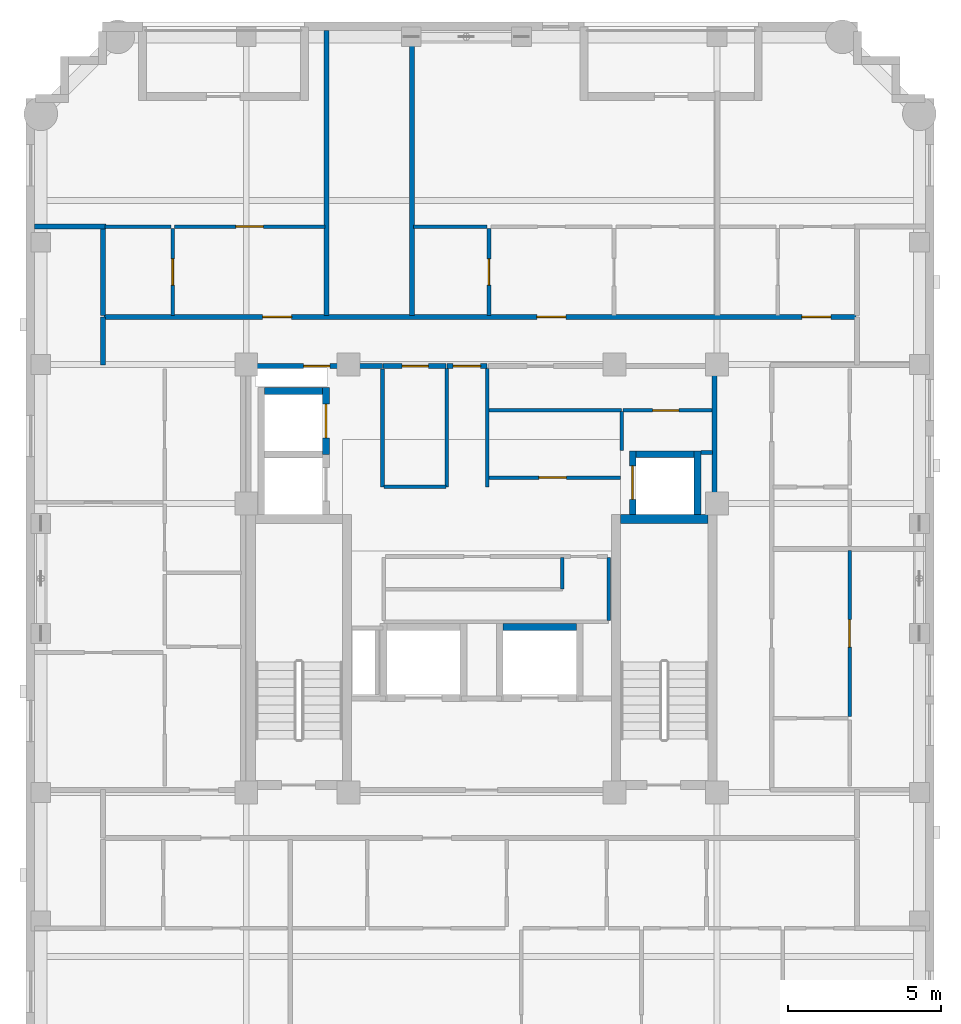
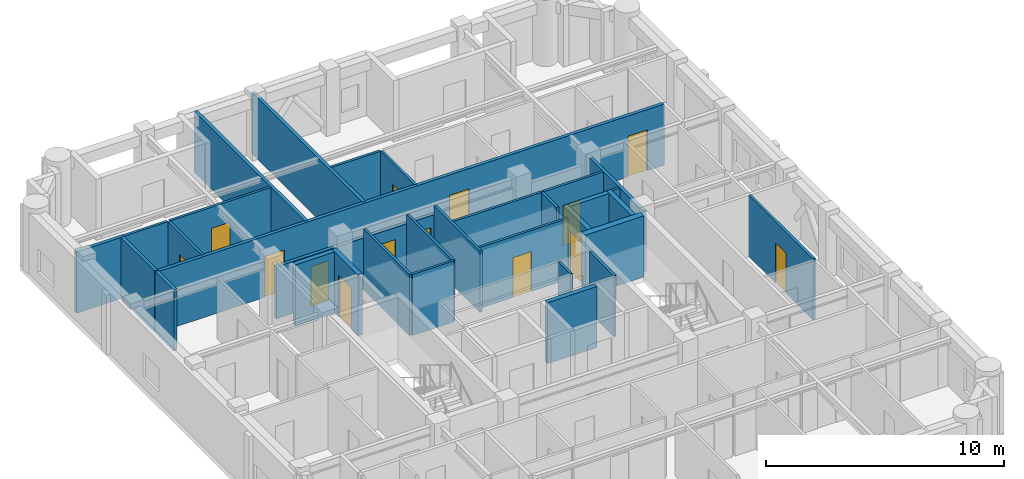
# One storey, part 5 of 10: 34 walls, 14 doors, 14 openings.
"""IFC4 building model written with IfcOpenShell, lengths in metres."""

import ifcopenshell
import ifcopenshell.guid

model = None  # the IFC model being written
_history = None  # IfcOwnerHistory: only IFC2X3 demands one
_inside = {}  # id of a spatial element -> (the spatial element, [elements in it])
_under = {}  # id of a project, library or spatial element -> (it, [spatial elements below it])
_declared = {}  # id of a project -> (the project, [libraries it declares])
_typed = {}  # id of a type object -> (the type object, [elements of that type])
_made_of = {}  # id of a material, layer set ... -> (it, [elements and type objects made of it])


def new_model(schema):
    """Start an empty IFC model of exactly this schema.

    Asked for "IFC4X3", IfcOpenShell would pick the latest addendum, in which some entities
    have other attributes; the version numbers below select the first issue.
    IFC2X3 requires an IfcOwnerHistory on every rooted entity: one is made here for all.
    """
    global model, _history
    if schema == "IFC4X3":
        model = ifcopenshell.file(schema_version=(4, 3, 0, 0))
    else:
        model = ifcopenshell.file(schema=schema)
    _inside.clear()
    _under.clear()
    _declared.clear()
    _typed.clear()
    _made_of.clear()
    _history = None
    if model.schema == "IFC2X3":
        org = make("IfcOrganization", Name="unknown")
        user = make(
            "IfcPersonAndOrganization",
            ThePerson=make("IfcPerson", FamilyName="unknown"),
            TheOrganization=org,
        )
        app = make(
            "IfcApplication",
            ApplicationDeveloper=org,
            Version="unknown",
            ApplicationFullName="unknown",
            ApplicationIdentifier="unknown",
        )
        _history = make(
            "IfcOwnerHistory",
            OwningUser=user,
            OwningApplication=app,
            ChangeAction="ADDED",
            CreationDate=0,
        )
    return model


def make(cls, **values):
    """One entity of the class cls with the attributes given. An attribute that is None is left unset."""
    return model.create_entity(
        cls, **{name: value for name, value in values.items() if value is not None}
    )


def rooted(cls, **values):
    """An entity with a GlobalId (a new one), such as an element, a storey or a relation."""
    return make(cls, GlobalId=ifcopenshell.guid.new(), OwnerHistory=_history, **values)


def si_unit(unit_type, name, prefix=None):
    """IfcSIUnit, for example si_unit("LENGTHUNIT", "METRE", prefix="MILLI")."""
    return make("IfcSIUnit", UnitType=unit_type, Prefix=prefix, Name=name)


def derived_unit(unit_type, elements):
    """IfcDerivedUnit: a product of units, each with its exponent."""
    return make(
        "IfcDerivedUnit",
        Elements=[
            make("IfcDerivedUnitElement", Unit=unit, Exponent=power)
            for unit, power in elements
        ],
        UnitType=unit_type,
    )


def assignment(units):
    """IfcUnitAssignment: the units of a project."""
    return None if units is None else make("IfcUnitAssignment", Units=units)


def point(xyz):
    """IfcCartesianPoint."""
    return None if xyz is None else make("IfcCartesianPoint", Coordinates=xyz)


def direction(xyz):
    """IfcDirection."""
    return None if xyz is None else make("IfcDirection", DirectionRatios=xyz)


def frame(location, z_axis=None, x_axis=None):
    """IfcAxis2Placement3D, a coordinate frame: its origin and axes. An axis left out is left unset."""
    return make(
        "IfcAxis2Placement3D",
        Location=point(location),
        Axis=direction(z_axis),
        RefDirection=direction(x_axis),
    )


def frame_2d(location, x_axis=None):
    """IfcAxis2Placement2D, a coordinate frame in the plane: its origin and x axis."""
    return make(
        "IfcAxis2Placement2D", Location=point(location), RefDirection=direction(x_axis)
    )


def origin():
    """The frame at (0, 0, 0) with its axes left unset."""
    return frame((0.0, 0.0, 0.0))


def place(relative_to, where):
    """IfcLocalPlacement: puts the frame where relative to a parent placement (None: the world)."""
    return make(
        "IfcLocalPlacement", PlacementRelTo=relative_to, RelativePlacement=where
    )


def context(
    kind, dimensions, precision=None, world=None, true_north=None, identifier=None
):
    """IfcGeometricRepresentationContext, for example the 3D "Model" context."""
    return make(
        "IfcGeometricRepresentationContext",
        ContextIdentifier=identifier,
        ContextType=kind,
        CoordinateSpaceDimension=dimensions,
        Precision=precision,
        WorldCoordinateSystem=world,
        TrueNorth=true_north,
    )


def subcontext(parent, identifier, kind, view, scale=None):
    """IfcGeometricRepresentationSubContext, for example "Body" below "Model"."""
    return make(
        "IfcGeometricRepresentationSubContext",
        ContextIdentifier=identifier,
        ContextType=kind,
        ParentContext=parent,
        TargetScale=scale,
        TargetView=view,
    )


def project(units=None, contexts=None):
    """IfcProject with its units and contexts."""
    return rooted(
        "IfcProject",
        Name="project",
        RepresentationContexts=contexts,
        UnitsInContext=assignment(units),
    )


def spatial(cls, under=None, at=None, **own):
    """A site, building, storey or space (cls), placed at a placement, below another one or the project."""
    s = rooted(cls, ObjectPlacement=at, **own)
    if under is not None:
        _under.setdefault(under.id(), (under, []))[1].append(s)
    return s


def profile(cls, at=None, kind="AREA", **sizes):
    """A parametric profile (cls). Its sizes go by their IFC names, for example OverallWidth=200.0."""
    return make(cls, ProfileType=kind, Position=at, **sizes)


def rectangle(**sizes):
    """IfcRectangleProfileDef."""
    return profile("IfcRectangleProfileDef", **sizes)


def extrude(swept, where, along, depth):
    """IfcExtrudedAreaSolid: the profile swept, set in the frame where, extruded along a direction by depth."""
    return make(
        "IfcExtrudedAreaSolid",
        SweptArea=swept,
        Position=where,
        ExtrudedDirection=direction(along),
        Depth=depth,
    )


def shape(context_of_items, identifier, shape_type, items):
    """IfcShapeRepresentation: the items that make up one representation, for example the "Body"."""
    return make(
        "IfcShapeRepresentation",
        ContextOfItems=context_of_items,
        RepresentationIdentifier=identifier,
        RepresentationType=shape_type,
        Items=items,
    )


def material(Name=None, Category=None):
    """IfcMaterial."""
    return make("IfcMaterial", Name=Name, Category=Category)


def layer(
    of_material, thickness, ventilated=None, Name=None, Category=None, Priority=None
):
    """IfcMaterialLayer: one layer of a wall or slab, of a material (None: an air gap)."""
    return make(
        "IfcMaterialLayer",
        Material=of_material,
        LayerThickness=thickness,
        IsVentilated=ventilated,
        Name=Name,
        Category=Category,
        Priority=Priority,
    )


def layer_set(layers, Name=None):
    """IfcMaterialLayerSet."""
    return make("IfcMaterialLayerSet", MaterialLayers=layers, LayerSetName=Name)


def made_of(thing, what):
    """Note that an element or type object is made of a material, layer set ...; save() writes the relation."""
    if what is not None:
        _made_of.setdefault(what.id(), (what, []))[1].append(thing)
    return thing


def type_object(cls, material=None, **own):
    """A type object (cls), such as IfcWallType, which elements share."""
    return made_of(rooted(cls, **own), material)


def element(
    cls,
    number,
    at=None,
    inside=None,
    cuts=None,
    type_object=None,
    material=None,
    context=None,
    identifier="Body",
    shape_type=None,
    held_by="IfcProductDefinitionShape",
    body=None,
    shapes=None,
    **own,
):
    """One element of the class cls, such as IfcWall. Its Tag is "e" and its number.

    at: its placement. inside: the storey or other place that contains it. cuts: it is an
    opening in that element (IfcRelVoidsElement). A single representation is given by context,
    identifier, shape_type and body (its items); several are given by shapes. held_by: the class
    of the entity that holds the representations. save() writes the other relations.
    """
    e = rooted(cls, Tag="e%d" % number, ObjectPlacement=at, **own)
    if body is not None:
        shapes = [shape(context, identifier, shape_type, body)]
    if shapes is not None:
        e.Representation = make(held_by, Representations=shapes)
    if inside is not None:
        _inside.setdefault(inside.id(), (inside, []))[1].append(e)
    if cuts is not None:
        rooted(
            "IfcRelVoidsElement", RelatingBuildingElement=cuts, RelatedOpeningElement=e
        )
    if type_object is not None:
        _typed.setdefault(type_object.id(), (type_object, []))[1].append(e)
    return made_of(e, material)


def fill(opening, filler):
    """IfcRelFillsElement: the door or window that sits in an opening."""
    return rooted(
        "IfcRelFillsElement",
        RelatingOpeningElement=opening,
        RelatedBuildingElement=filler,
    )


def aggregate(whole, parts):
    """IfcRelAggregates: a whole, such as a stair, and the parts it consists of."""
    return rooted("IfcRelAggregates", RelatingObject=whole, RelatedObjects=parts)


def save(model, path):
    """Write the relations noted so far, then the file.

    IfcRelAggregates (storeys below a building ...), IfcRelContainedInSpatialStructure (elements
    in a storey), IfcRelDefinesByType, IfcRelAssociatesMaterial and IfcRelDeclares: one each for
    every whole, place, type object, material and project.
    """
    for whole, parts in _under.values():
        aggregate(whole, parts)
    for where, things in _inside.values():
        rooted(
            "IfcRelContainedInSpatialStructure",
            RelatedElements=things,
            RelatingStructure=where,
        )
    for kind, things in _typed.values():
        rooted("IfcRelDefinesByType", RelatedObjects=things, RelatingType=kind)
    for what, things in _made_of.values():
        rooted("IfcRelAssociatesMaterial", RelatedObjects=things, RelatingMaterial=what)
    for by, libraries in _declared.values():
        rooted("IfcRelDeclares", RelatingContext=by, RelatedDefinitions=libraries)
    model.write(path)


model = new_model("IFC4")

# Units and contexts
model_context = context("Model", 3, precision=1e-05, world=origin(), true_north=direction((0.0, 1.0)))
body_context = subcontext(model_context, "Body", "Model", "MODEL_VIEW")
ifc_project = project(units=[si_unit("LENGTHUNIT", "METRE"), si_unit("AREAUNIT", "SQUARE_METRE"), si_unit("VOLUMEUNIT", "CUBIC_METRE"), si_unit("PLANEANGLEUNIT", "RADIAN"), si_unit("MASSUNIT", "GRAM", prefix="KILO"), derived_unit("THERMALTRANSMITTANCEUNIT", [(si_unit("MASSUNIT", "GRAM", prefix="KILO"), 1), (si_unit("TIMEUNIT", "SECOND"), -3), (si_unit("THERMODYNAMICTEMPERATUREUNIT", "KELVIN"), -1)])], contexts=[model_context])

# Site, building, storey
site_placement = place(None, origin())
site = spatial("IfcSite", under=ifc_project, at=site_placement, CompositionType="ELEMENT")
building_placement = place(site_placement, origin())
building = spatial("IfcBuilding", under=site, at=building_placement, Name="Korrvale Station Residences", CompositionType="ELEMENT")
storey_placement = place(building_placement, frame((0.0, 0.0, 220.699951171875)))
storey = spatial("IfcBuildingStorey", under=building, at=storey_placement, Name="L64", CompositionType="ELEMENT", Elevation=220.699951171875)

# Walls
ifc_material_1 = material(Name="Concrete C50/60", Category="concrete")
ifc_layer_1 = layer(ifc_material_1, 0.300048828125, Name="Concrete C50/60")
ifc_layer_set_1 = layer_set([ifc_layer_1], Name="Concrete C50/60")
wall_type_1 = type_object("IfcWallType", Name="WAL-CORE-300-C50", PredefinedType="SHEAR", material=ifc_layer_set_1)
wall_1_placement = place(storey_placement, frame((30.050048828125, 23.949951171875, 0.0), z_axis=(0.0, 0.0, 1.0), x_axis=(1.0, 0.0, 0.0)))
element("IfcWall", 1, at=wall_1_placement, inside=storey, type_object=wall_type_1, Name="L64 ST-2 Core Shear Wall North", PredefinedType="SHEAR", context=body_context, shape_type="SweptSolid", body=[
    extrude(rectangle(XDim=2.849853515625, YDim=0.300048828125, at=frame_2d((1.4248046875, 0.0))), origin(), (0.0, 0.0, 1.0), 3.14013671875),
])
ifc_material_2 = material(Name="Acoustic steel-stud gypsum board partition", Category="steel")
ifc_layer_2 = layer(ifc_material_2, 0.1201171875, Name="Acoustic steel-stud gypsum board partition")
ifc_layer_set_2 = layer_set([ifc_layer_2], Name="Acoustic steel-stud gypsum board partition")
wall_type_2 = type_object("IfcWallType", Name="WAL-PART-125", PredefinedType="PARTITIONING", material=ifc_layer_set_2)
for number, where, z_axis, x_axis, name in (
    (2, (24.360107421875, 25.0, 0.0), (0.0, 0.0, 1.0), (0.0, 1.0, 0.0), "L64 Core Partition CW-PSG-W"),
    (3, (25.679931640625, 25.0, 0.0), (0.0, 0.0, 1.0), (0.0, 1.0, 0.0), "L64 Core Partition CW-PSG-E"),
):
    element("IfcWall", number, at=place(storey_placement, frame(where, z_axis=z_axis, x_axis=x_axis)), inside=storey, type_object=wall_type_2, Name=name, PredefinedType="PARTITIONING", context=body_context, shape_type="SweptSolid", body=[
        extrude(rectangle(XDim=3.8701171875, YDim=0.1201171875, at=frame_2d((1.93505859375, 0.0))), origin(), (0.0, 0.0, 1.0), 3.14013671875),
    ])
wall_2_placement = place(storey_placement, frame((30.080078125, 26.179931640625, 0.0), z_axis=(0.0, 0.0, 1.0), x_axis=(0.0, 1.0, 0.0)))
element("IfcWall", 4, at=wall_2_placement, inside=storey, type_object=wall_type_2, Name="L64 Core Partition CW-CS-W", PredefinedType="PARTITIONING", context=body_context, shape_type="SweptSolid", body=[
    extrude(rectangle(XDim=1.280029296875, YDim=0.1201171875, at=frame_2d((0.64013671875, 0.0))), origin(), (0.0, 0.0, 1.0), 3.14013671875),
])
wall_3_placement = place(storey_placement, frame((32.679931640625, 26.1201171875, 0.0), z_axis=(0.0, 0.0, 1.0), x_axis=(1.0, 0.0, 0.0)))
element("IfcWall", 5, at=wall_3_placement, inside=storey, type_object=wall_type_2, Name="L64 Core Partition CW-CS-S", PredefinedType="PARTITIONING", context=body_context, shape_type="SweptSolid", body=[
    extrude(rectangle(XDim=0.380126953125, YDim=0.1201171875, at=frame_2d((0.18994140625, 0.0))), origin(), (0.0, 0.0, 1.0), 3.14013671875),
])

# Wall, opening, door
wall_4_placement = place(storey_placement, frame((30.1201171875, 27.5, 0.0), z_axis=(0.0, 0.0, 1.0), x_axis=(1.0, 0.0, 0.0)))
wall_4 = element("IfcWall", 6, at=wall_4_placement, inside=storey, type_object=wall_type_2, Name="L64 Core Partition CW-CS-H", PredefinedType="PARTITIONING", context=body_context, shape_type="SweptSolid", body=[
    extrude(rectangle(XDim=2.919921875, YDim=0.1201171875, at=frame_2d((1.4599609375, 0.0))), origin(), (0.0, 0.0, 1.0), 3.14013671875),
])
opening_1_placement = place(wall_4_placement, frame((0.969970703125, 0.0, 0.0)))
opening_1 = element("IfcOpeningElement", 7, at=opening_1_placement, cuts=wall_4, Name="Opening DB-860", PredefinedType="OPENING", context=body_context, shape_type="SweptSolid", body=[
    extrude(rectangle(XDim=0.860107421875, YDim=2.050048828125, at=frame_2d((0.43017578125, 1.02490234375))), frame((0.0, 0.070068359375, 0.0), z_axis=(0.0, -1.0, 0.0), x_axis=(1.0, 0.0, 0.0)), (0.0, 0.0, 1.0), 0.14013671875),
])
ifc_material_3 = material(Name="Moisture-resistant solid-core bathroom door", Category="timber")
door_type_1 = type_object("IfcDoorType", Name="DR-BATH-860", OperationType="NOTDEFINED", PredefinedType="DOOR", material=ifc_material_3)
door_1_placement = place(opening_1_placement, origin())
door_1 = element("IfcDoor", 8, at=door_1_placement, inside=storey, type_object=door_type_1, Name="L64 Mail Sorting Inner Door", OperationType="SINGLE_SWING_LEFT", OverallHeight=2.050048828125, OverallWidth=0.860107421875, PredefinedType="DOOR", context=body_context, shape_type="SweptSolid", body=[
    extrude(rectangle(XDim=0.860107421875, YDim=2.050048828125, at=frame_2d((0.43017578125, 1.02490234375))), frame((0.0, 0.02490234375, 0.0), z_axis=(0.0, -1.0, 0.0), x_axis=(1.0, 0.0, 0.0)), (0.0, 0.0, 1.0), 0.050048828125),
])
fill(opening_1, door_1)

# Walls
wall_5_placement = place(storey_placement, frame((22.260009765625, 25.0, 0.0), z_axis=(0.0, 0.0, 1.0), x_axis=(0.0, 1.0, 0.0)))
element("IfcWall", 9, at=wall_5_placement, inside=storey, type_object=wall_type_2, Name="L64 Core Partition CW-FPLW-W", PredefinedType="PARTITIONING", context=body_context, shape_type="SweptSolid", body=[
    extrude(rectangle(XDim=3.860107421875, YDim=0.1201171875, at=frame_2d((1.93017578125, 0.0))), origin(), (0.0, 0.0, 1.0), 3.14013671875),
])
wall_6_placement = place(storey_placement, frame((22.300048828125, 25.0, 0.0), z_axis=(0.0, 0.0, 1.0), x_axis=(1.0, 0.0, 0.0)))
element("IfcWall", 10, at=wall_6_placement, inside=storey, type_object=wall_type_2, Name="L64 Core Partition CW-FPLW-S", PredefinedType="PARTITIONING", context=body_context, shape_type="SweptSolid", body=[
    extrude(rectangle(XDim=2.0400390625, YDim=0.1201171875, at=frame_2d((1.02001953125, 0.0))), origin(), (0.0, 0.0, 1.0), 3.14013671875),
])
wall_7_placement = place(storey_placement, frame((25.719970703125, 27.5, 0.0), z_axis=(0.0, 0.0, 1.0), x_axis=(1.0, 0.0, 0.0)))
element("IfcWall", 11, at=wall_7_placement, inside=storey, type_object=wall_type_2, Name="L64 Core Partition CW-FPLE-H", PredefinedType="PARTITIONING", context=body_context, shape_type="SweptSolid", body=[
    extrude(rectangle(XDim=4.360107421875, YDim=0.1201171875, at=frame_2d((2.18017578125, 0.0))), origin(), (0.0, 0.0, 1.0), 3.14013671875),
])

# Wall, opening, door
wall_8_placement = place(storey_placement, frame((25.719970703125, 25.300048828125, 0.0), z_axis=(0.0, 0.0, 1.0), x_axis=(1.0, 0.0, 0.0)))
wall_8 = element("IfcWall", 12, at=wall_8_placement, inside=storey, type_object=wall_type_2, Name="L64 Core Partition CW-FPLE-S", PredefinedType="PARTITIONING", context=body_context, shape_type="SweptSolid", body=[
    extrude(rectangle(XDim=4.320068359375, YDim=0.1201171875, at=frame_2d((2.16015625, 0.0))), origin(), (0.0, 0.0, 1.0), 3.14013671875),
])
opening_2_placement = place(wall_8_placement, frame((1.64990234375, 0.0, 0.0)))
opening_2 = element("IfcOpeningElement", 13, at=opening_2_placement, cuts=wall_8, Name="Opening DI-900", PredefinedType="OPENING", context=body_context, shape_type="SweptSolid", body=[
    extrude(rectangle(XDim=0.89990234375, YDim=2.050048828125, at=frame_2d((0.449951171875, 1.02490234375))), frame((0.0, 0.070068359375, 0.0), z_axis=(0.0, -1.0, 0.0), x_axis=(1.0, 0.0, 0.0)), (0.0, 0.0, 1.0), 0.14013671875),
])
ifc_material_4 = material(Name="Painted solid-core timber interior room door", Category="wood")
door_type_2 = type_object("IfcDoorType", Name="DR-INT-900", OperationType="NOTDEFINED", PredefinedType="DOOR", material=ifc_material_4)
door_2_placement = place(opening_2_placement, origin())
door_2 = element("IfcDoor", 14, at=door_2_placement, inside=storey, type_object=door_type_2, Name="L64 Housekeeping Linen Door", OperationType="SINGLE_SWING_LEFT", OverallHeight=2.050048828125, OverallWidth=0.89990234375, PredefinedType="DOOR", context=body_context, shape_type="SweptSolid", body=[
    extrude(rectangle(XDim=0.89990234375, YDim=2.050048828125, at=frame_2d((0.449951171875, 1.02490234375))), frame((0.0, 0.02490234375, 0.0), z_axis=(0.0, -1.0, 0.0), x_axis=(1.0, 0.0, 0.0)), (0.0, 0.0, 1.0), 0.050048828125),
])
fill(opening_2, door_2)

# Walls
wall_9_placement = place(storey_placement, frame((29.659912109375, 20.6201171875, 0.0), z_axis=(0.0, 0.0, 1.0), x_axis=(0.0, 1.0, 0.0)))
element("IfcWall", 15, at=wall_9_placement, inside=storey, type_object=wall_type_2, Name="L64 Core Partition CW-FPM-E", PredefinedType="PARTITIONING", context=body_context, shape_type="SweptSolid", body=[
    extrude(rectangle(XDim=2.059814453125, YDim=0.1201171875, at=frame_2d((1.02978515625, 0.0))), origin(), (0.0, 0.0, 1.0), 3.14013671875),
])
wall_10_placement = place(storey_placement, frame((28.139892578125, 21.64990234375, 0.0), z_axis=(0.0, 0.0, 1.0), x_axis=(0.0, 1.0, 0.0)))
element("IfcWall", 16, at=wall_10_placement, inside=storey, type_object=wall_type_2, Name="L64 Core Partition CW-FPM-V1", PredefinedType="PARTITIONING", context=body_context, shape_type="SweptSolid", body=[
    extrude(rectangle(XDim=1.030029296875, YDim=0.1201171875, at=frame_2d((0.51513671875, 0.0))), origin(), (0.0, 0.0, 1.0), 3.14013671875),
])

# Wall, opening, door
wall_11_placement = place(storey_placement, frame((15.39697265625, 30.60009765625, 0.0), z_axis=(0.0, 0.0, 1.0), x_axis=(0.0, 1.0, 0.0)))
wall_11 = element("IfcWall", 17, at=wall_11_placement, inside=storey, type_object=wall_type_2, Name="L64 Suite Partition U03-V01", PredefinedType="PARTITIONING", context=body_context, shape_type="SweptSolid", body=[
    extrude(rectangle(XDim=2.849853515625, YDim=0.1201171875, at=frame_2d((1.4248046875, 0.0))), origin(), (0.0, 0.0, 1.0), 3.14013671875),
])
opening_3_placement = place(wall_11_placement, frame((0.9951171875, 0.0, 0.0)))
opening_3 = element("IfcOpeningElement", 18, at=opening_3_placement, cuts=wall_11, Name="Opening DB-860", PredefinedType="OPENING", context=body_context, shape_type="SweptSolid", body=[
    extrude(rectangle(XDim=0.860107421875, YDim=2.050048828125, at=frame_2d((0.43017578125, 1.02490234375))), frame((0.0, 0.070068359375, 0.0), z_axis=(0.0, -1.0, 0.0), x_axis=(1.0, 0.0, 0.0)), (0.0, 0.0, 1.0), 0.14013671875),
])
door_3_placement = place(opening_3_placement, origin())
door_3 = element("IfcDoor", 19, at=door_3_placement, inside=storey, type_object=door_type_1, Name="L64 Studio Apartment L64-U03 Bathroom Door", OperationType="SINGLE_SWING_LEFT", OverallHeight=2.050048828125, OverallWidth=0.860107421875, PredefinedType="DOOR", context=body_context, shape_type="SweptSolid", body=[
    extrude(rectangle(XDim=0.860107421875, YDim=2.050048828125, at=frame_2d((0.43017578125, 1.02490234375))), frame((0.0, 0.02490234375, 0.0), z_axis=(0.0, -1.0, 0.0), x_axis=(1.0, 0.0, 0.0)), (0.0, 0.0, 1.0), 0.050048828125),
])
fill(opening_3, door_3)

# Wall
wall_12_placement = place(storey_placement, frame((13.179931640625, 33.510009765625, 0.0), z_axis=(0.0, 0.0, 1.0), x_axis=(1.0, 0.0, 0.0)))
element("IfcWall", 20, at=wall_12_placement, inside=storey, type_object=wall_type_2, Name="L64 Suite Partition U03-H02", PredefinedType="PARTITIONING", context=body_context, shape_type="SweptSolid", body=[
    extrude(rectangle(XDim=2.156982421875, YDim=0.1201171875, at=frame_2d((1.07861328125, 0.0))), origin(), (0.0, 0.0, 1.0), 3.14013671875),
])

# Wall, opening, door
wall_13_placement = place(storey_placement, frame((15.45703125, 33.510009765625, 0.0), z_axis=(0.0, 0.0, 1.0), x_axis=(1.0, 0.0, 0.0)))
wall_13 = element("IfcWall", 21, at=wall_13_placement, inside=storey, type_object=wall_type_2, Name="L64 Suite Partition U03-H12", PredefinedType="PARTITIONING", context=body_context, shape_type="SweptSolid", body=[
    extrude(rectangle(XDim=4.9130859375, YDim=0.1201171875, at=frame_2d((2.45654296875, 0.0))), origin(), (0.0, 0.0, 1.0), 3.14013671875),
])
opening_4_placement = place(wall_13_placement, frame((2.006103515625, 0.0, 0.0)))
opening_4 = element("IfcOpeningElement", 22, at=opening_4_placement, cuts=wall_13, Name="Opening DI-900", PredefinedType="OPENING", context=body_context, shape_type="SweptSolid", body=[
    extrude(rectangle(XDim=0.89990234375, YDim=2.050048828125, at=frame_2d((0.449951171875, 1.02490234375))), frame((0.0, 0.070068359375, 0.0), z_axis=(0.0, -1.0, 0.0), x_axis=(1.0, 0.0, 0.0)), (0.0, 0.0, 1.0), 0.14013671875),
])
door_4_placement = place(opening_4_placement, origin())
door_4 = element("IfcDoor", 23, at=door_4_placement, inside=storey, type_object=door_type_2, Name="L64 Studio Apartment L64-U03 Kitchen Door", OperationType="SINGLE_SWING_RIGHT", OverallHeight=2.050048828125, OverallWidth=0.89990234375, PredefinedType="DOOR", context=body_context, shape_type="SweptSolid", body=[
    extrude(rectangle(XDim=0.89990234375, YDim=2.050048828125, at=frame_2d((0.449951171875, 1.02490234375))), frame((0.0, 0.02490234375, 0.0), z_axis=(0.0, -1.0, 0.0), x_axis=(1.0, 0.0, 0.0)), (0.0, 0.0, 1.0), 0.050048828125),
])
fill(opening_4, door_4)

wall_14_placement = place(storey_placement, frame((25.739990234375, 30.60009765625, 0.0), z_axis=(0.0, 0.0, 1.0), x_axis=(0.0, 1.0, 0.0)))
wall_14 = element("IfcWall", 24, at=wall_14_placement, inside=storey, type_object=wall_type_2, Name="L64 Suite Partition U04-V01", PredefinedType="PARTITIONING", context=body_context, shape_type="SweptSolid", body=[
    extrude(rectangle(XDim=2.849853515625, YDim=0.1201171875, at=frame_2d((1.4248046875, 0.0))), origin(), (0.0, 0.0, 1.0), 3.14013671875),
])
opening_5_placement = place(wall_14_placement, frame((0.9951171875, 0.0, 0.0)))
opening_5 = element("IfcOpeningElement", 25, at=opening_5_placement, cuts=wall_14, Name="Opening DB-860", PredefinedType="OPENING", context=body_context, shape_type="SweptSolid", body=[
    extrude(rectangle(XDim=0.860107421875, YDim=2.050048828125, at=frame_2d((0.43017578125, 1.02490234375))), frame((0.0, 0.070068359375, 0.0), z_axis=(0.0, -1.0, 0.0), x_axis=(1.0, 0.0, 0.0)), (0.0, 0.0, 1.0), 0.14013671875),
])
door_5_placement = place(opening_5_placement, origin())
door_5 = element("IfcDoor", 26, at=door_5_placement, inside=storey, type_object=door_type_1, Name="L64 Studio Apartment L64-U04 Bathroom Door", OperationType="SINGLE_SWING_LEFT", OverallHeight=2.050048828125, OverallWidth=0.860107421875, PredefinedType="DOOR", context=body_context, shape_type="SweptSolid", body=[
    extrude(rectangle(XDim=0.860107421875, YDim=2.050048828125, at=frame_2d((0.43017578125, 1.02490234375))), frame((0.0, 0.02490234375, 0.0), z_axis=(0.0, -1.0, 0.0), x_axis=(1.0, 0.0, 0.0)), (0.0, 0.0, 1.0), 0.050048828125),
])
fill(opening_5, door_5)

# Wall
wall_15_placement = place(storey_placement, frame((23.280029296875, 33.510009765625, 0.0), z_axis=(0.0, 0.0, 1.0), x_axis=(1.0, 0.0, 0.0)))
element("IfcWall", 27, at=wall_15_placement, inside=storey, type_object=wall_type_2, Name="L64 Suite Partition U04-H03", PredefinedType="PARTITIONING", context=body_context, shape_type="SweptSolid", body=[
    extrude(rectangle(XDim=2.39990234375, YDim=0.1201171875, at=frame_2d((1.199951171875, 0.0))), origin(), (0.0, 0.0, 1.0), 3.14013671875),
])

# Wall, opening, door
wall_16_placement = place(storey_placement, frame((37.5400390625, 17.489013671875, 0.0), z_axis=(0.0, 0.0, 1.0), x_axis=(0.0, 1.0, 0.0)))
wall_16 = element("IfcWall", 28, at=wall_16_placement, inside=storey, type_object=wall_type_2, Name="L64 Suite Partition U07-V12", PredefinedType="PARTITIONING", context=body_context, shape_type="SweptSolid", body=[
    extrude(rectangle(XDim=5.43310546875, YDim=0.1201171875, at=frame_2d((2.716552734375, 0.0))), origin(), (0.0, 0.0, 1.0), 3.14013671875),
])
opening_6_placement = place(wall_16_placement, frame((2.26611328125, 0.0, 0.0)))
opening_6 = element("IfcOpeningElement", 29, at=opening_6_placement, cuts=wall_16, Name="Opening DI-900", PredefinedType="OPENING", context=body_context, shape_type="SweptSolid", body=[
    extrude(rectangle(XDim=0.89990234375, YDim=2.050048828125, at=frame_2d((0.449951171875, 1.02490234375))), frame((0.0, 0.070068359375, 0.0), z_axis=(0.0, -1.0, 0.0), x_axis=(1.0, 0.0, 0.0)), (0.0, 0.0, 1.0), 0.14013671875),
])
door_6_placement = place(opening_6_placement, origin())
door_6 = element("IfcDoor", 30, at=door_6_placement, inside=storey, type_object=door_type_2, Name="L64 Studio Apartment L64-U07 Kitchen Door", OperationType="SINGLE_SWING_LEFT", OverallHeight=2.050048828125, OverallWidth=0.89990234375, PredefinedType="DOOR", context=body_context, shape_type="SweptSolid", body=[
    extrude(rectangle(XDim=0.89990234375, YDim=2.050048828125, at=frame_2d((0.449951171875, 1.02490234375))), frame((0.0, 0.02490234375, 0.0), z_axis=(0.0, -1.0, 0.0), x_axis=(1.0, 0.0, 0.0)), (0.0, 0.0, 1.0), 0.050048828125),
])
fill(opening_6, door_6)

# Wall
ifc_material_5 = material(Name="Fire-rated twin-stud gypsum and mineral wool shaftwall assembly", Category="gypsum")
ifc_layer_3 = layer(ifc_material_5, 0.159912109375, Name="Fire-rated twin-stud gypsum and mineral wool shaftwall assembly")
ifc_layer_set_3 = layer_set([ifc_layer_3], Name="Fire-rated twin-stud gypsum and mineral wool shaftwall assembly")
wall_type_3 = type_object("IfcWallType", Name="WAL-PART-200", PredefinedType="PARTITIONING", material=ifc_layer_set_3)
wall_17_placement = place(storey_placement, frame((33.1201171875, 24.1201171875, 0.0), z_axis=(0.0, 0.0, 1.0), x_axis=(0.0, 1.0, 0.0)))
element("IfcWall", 31, at=wall_17_placement, inside=storey, type_object=wall_type_3, Name="L64 Core Partition CW-E-N", PredefinedType="PARTITIONING", context=body_context, shape_type="SweptSolid", body=[
    extrude(rectangle(XDim=4.759765625, YDim=0.159912109375, at=frame_2d((2.3798828125, 0.0))), origin(), (0.0, 0.0, 1.0), 3.14013671875),
])

# Wall, opening, door
wall_18_placement = place(storey_placement, frame((24.360107421875, 28.949951171875, 0.0), z_axis=(0.0, 0.0, 1.0), x_axis=(1.0, 0.0, 0.0)))
wall_18 = element("IfcWall", 32, at=wall_18_placement, inside=storey, type_object=wall_type_3, Name="L64 Core Partition CW-LLOB-N", PredefinedType="PARTITIONING", context=body_context, shape_type="SweptSolid", body=[
    extrude(rectangle(XDim=1.31982421875, YDim=0.159912109375, at=frame_2d((0.659912109375, 0.0))), origin(), (0.0, 0.0, 1.0), 2.66796875),
])
opening_7_placement = place(wall_18_placement, frame((0.2099609375, 0.0, 0.0)))
opening_7 = element("IfcOpeningElement", 33, at=opening_7_placement, cuts=wall_18, Name="Opening DI-900", PredefinedType="OPENING", context=body_context, shape_type="SweptSolid", body=[
    extrude(rectangle(XDim=0.89990234375, YDim=2.050048828125, at=frame_2d((0.449951171875, 1.02490234375))), frame((0.0, 0.08984375, 0.0), z_axis=(0.0, -1.0, 0.0), x_axis=(1.0, 0.0, 0.0)), (0.0, 0.0, 1.0), 0.179931640625),
])
door_7_placement = place(opening_7_placement, origin())
door_7 = element("IfcDoor", 34, at=door_7_placement, inside=storey, type_object=door_type_2, Name="L64 Central Hallway North Passage Door", OperationType="SINGLE_SWING_LEFT", OverallHeight=2.050048828125, OverallWidth=0.89990234375, PredefinedType="DOOR", context=body_context, shape_type="SweptSolid", body=[
    extrude(rectangle(XDim=0.89990234375, YDim=2.050048828125, at=frame_2d((0.449951171875, 1.02490234375))), frame((0.0, 0.02490234375, 0.0), z_axis=(0.0, -1.0, 0.0), x_axis=(1.0, 0.0, 0.0)), (0.0, 0.0, 1.0), 0.050048828125),
])
fill(opening_7, door_7)

wall_19_placement = place(storey_placement, frame((17.9599609375, 28.949951171875, 0.0), z_axis=(0.0, 0.0, 1.0), x_axis=(1.0, 0.0, 0.0)))
wall_19 = element("IfcWall", 35, at=wall_19_placement, inside=storey, type_object=wall_type_3, Name="L64 Core Partition CW-NW", PredefinedType="PARTITIONING", context=body_context, shape_type="SweptSolid", body=[
    extrude(rectangle(XDim=4.2900390625, YDim=0.159912109375, at=frame_2d((2.14501953125, 0.0))), origin(), (0.0, 0.0, 1.0), 2.66796875),
])
opening_8_placement = place(wall_19_placement, frame((1.715087890625, 0.0, 0.0)))
opening_8 = element("IfcOpeningElement", 36, at=opening_8_placement, cuts=wall_19, Name="Opening DB-860", PredefinedType="OPENING", context=body_context, shape_type="SweptSolid", body=[
    extrude(rectangle(XDim=0.860107421875, YDim=2.050048828125, at=frame_2d((0.43017578125, 1.02490234375))), frame((0.0, 0.08984375, 0.0), z_axis=(0.0, -1.0, 0.0), x_axis=(1.0, 0.0, 0.0)), (0.0, 0.0, 1.0), 0.179931640625),
])
door_8_placement = place(opening_8_placement, origin())
door_8 = element("IfcDoor", 37, at=door_8_placement, inside=storey, type_object=door_type_1, Name="L64 Electrical Riser Access Door", OperationType="SINGLE_SWING_RIGHT", OverallHeight=2.050048828125, OverallWidth=0.860107421875, PredefinedType="DOOR", context=body_context, shape_type="SweptSolid", body=[
    extrude(rectangle(XDim=0.860107421875, YDim=2.050048828125, at=frame_2d((0.43017578125, 1.02490234375))), frame((0.0, 0.02490234375, 0.0), z_axis=(0.0, -1.0, 0.0), x_axis=(1.0, 0.0, 0.0)), (0.0, 0.0, 1.0), 0.050048828125),
])
fill(opening_8, door_8)

wall_20_placement = place(storey_placement, frame((22.280029296875, 28.949951171875, 0.0), z_axis=(0.0, 0.0, 1.0), x_axis=(1.0, 0.0, 0.0)))
wall_20 = element("IfcWall", 38, at=wall_20_placement, inside=storey, type_object=wall_type_3, Name="L64 Core Partition CW-FPLW-N", PredefinedType="PARTITIONING", context=body_context, shape_type="SweptSolid", body=[
    extrude(rectangle(XDim=2.06005859375, YDim=0.159912109375, at=frame_2d((1.030029296875, 0.0))), origin(), (0.0, 0.0, 1.0), 2.66796875),
])
opening_9_placement = place(wall_20_placement, frame((0.6201171875, 0.0, 0.0)))
opening_9 = element("IfcOpeningElement", 39, at=opening_9_placement, cuts=wall_20, Name="Opening DB-860", PredefinedType="OPENING", context=body_context, shape_type="SweptSolid", body=[
    extrude(rectangle(XDim=0.860107421875, YDim=2.050048828125, at=frame_2d((0.43017578125, 1.02490234375))), frame((0.0, 0.08984375, 0.0), z_axis=(0.0, -1.0, 0.0), x_axis=(1.0, 0.0, 0.0)), (0.0, 0.0, 1.0), 0.179931640625),
])
door_9_placement = place(opening_9_placement, origin())
door_9 = element("IfcDoor", 40, at=door_9_placement, inside=storey, type_object=door_type_1, Name="L64 Resident Parcel Room Door", OperationType="SINGLE_SWING_RIGHT", OverallHeight=2.050048828125, OverallWidth=0.860107421875, PredefinedType="DOOR", context=body_context, shape_type="SweptSolid", body=[
    extrude(rectangle(XDim=0.860107421875, YDim=2.050048828125, at=frame_2d((0.43017578125, 1.02490234375))), frame((0.0, 0.02490234375, 0.0), z_axis=(0.0, -1.0, 0.0), x_axis=(1.0, 0.0, 0.0)), (0.0, 0.0, 1.0), 0.050048828125),
])
fill(opening_9, door_9)

# Walls
wall_21_placement = place(storey_placement, frame((13.1201171875, 28.97998046875, 0.0), z_axis=(0.0, 0.0, 1.0), x_axis=(0.0, 1.0, 0.0)))
element("IfcWall", 41, at=wall_21_placement, inside=storey, type_object=wall_type_3, Name="L64 Corridor North West Cap", PredefinedType="PARTITIONING", context=body_context, shape_type="SweptSolid", body=[
    extrude(rectangle(XDim=1.580078125, YDim=0.159912109375, at=frame_2d((0.7900390625, 0.0))), origin(), (0.0, 0.0, 1.0), 3.14013671875),
])
wall_22_placement = place(storey_placement, frame((10.8798828125, 33.510009765625, 0.0), z_axis=(0.0, 0.0, 1.0), x_axis=(1.0, 0.0, 0.0)))
element("IfcWall", 42, at=wall_22_placement, inside=storey, type_object=wall_type_3, Name="L64 Corner Step Wall U03-L", PredefinedType="PARTITIONING", context=body_context, shape_type="SweptSolid", body=[
    extrude(rectangle(XDim=2.340087890625, YDim=0.159912109375, at=frame_2d((1.169921875, 0.0))), origin(), (0.0, 0.0, 1.0), 3.14013671875),
])
wall_23_placement = place(storey_placement, frame((13.1201171875, 30.60009765625, 0.0), z_axis=(0.0, 0.0, 1.0), x_axis=(0.0, 1.0, 0.0)))
element("IfcWall", 43, at=wall_23_placement, inside=storey, type_object=wall_type_3, Name="L64 Corner Step Cheek U03-L", PredefinedType="PARTITIONING", context=body_context, shape_type="SweptSolid", body=[
    extrude(rectangle(XDim=2.909912109375, YDim=0.159912109375, at=frame_2d((1.455078125, 0.0))), origin(), (0.0, 0.0, 1.0), 3.14013671875),
])
for number, where, z_axis, x_axis, name in (
    (44, (20.429931640625, 30.60009765625, 0.0), (0.0, 0.0, 1.0), (0.0, 1.0, 0.0), "L64 Demising Wall U03-E"),
    (45, (23.219970703125, 30.60009765625, 0.0), (0.0, 0.0, 1.0), (0.0, 1.0, 0.0), "L64 Demising Wall U04-W"),
):
    element("IfcWall", number, at=place(storey_placement, frame(where, z_axis=z_axis, x_axis=x_axis)), inside=storey, type_object=wall_type_3, Name=name, PredefinedType="PARTITIONING", context=body_context, shape_type="SweptSolid", body=[
        extrude(rectangle(XDim=9.31982421875, YDim=0.159912109375, at=frame_2d((4.659912109375, 0.0))), origin(), (0.0, 0.0, 1.0), 3.14013671875),
    ])

# Wall, openings, doors
wall_24_placement = place(storey_placement, frame((13.14990234375, 30.56005859375, 0.0), z_axis=(0.0, 0.0, 1.0), x_axis=(1.0, 0.0, 0.0)))
wall_24 = element("IfcWall", 46, at=wall_24_placement, inside=storey, type_object=wall_type_3, Name="L64 Rated Corridor Wall N", PredefinedType="PARTITIONING", context=body_context, shape_type="SweptSolid", body=[
    extrude(rectangle(XDim=24.60009765625, YDim=0.159912109375, at=frame_2d((12.300048828125, 0.0))), origin(), (0.0, 0.0, 1.0), 3.14013671875),
])
opening_10_placement = place(wall_24_placement, frame((5.18505859375, 0.0, 0.0)))
opening_10 = element("IfcOpeningElement", 47, at=opening_10_placement, cuts=wall_24, Name="Opening UD-950", PredefinedType="OPENING", context=body_context, shape_type="SweptSolid", body=[
    extrude(rectangle(XDim=0.949951171875, YDim=2.10009765625, at=frame_2d((0.47509765625, 1.050048828125))), frame((0.0, 0.08984375, 0.0), z_axis=(0.0, -1.0, 0.0), x_axis=(1.0, 0.0, 0.0)), (0.0, 0.0, 1.0), 0.179931640625),
])
opening_11_placement = place(wall_24_placement, frame((14.159912109375, 0.0, 0.0)))
opening_11 = element("IfcOpeningElement", 48, at=opening_11_placement, cuts=wall_24, Name="Opening UD-950", PredefinedType="OPENING", context=body_context, shape_type="SweptSolid", body=[
    extrude(rectangle(XDim=0.949951171875, YDim=2.10009765625, at=frame_2d((0.47509765625, 1.050048828125))), frame((0.0, 0.08984375, 0.0), z_axis=(0.0, -1.0, 0.0), x_axis=(1.0, 0.0, 0.0)), (0.0, 0.0, 1.0), 0.179931640625),
])
opening_12_placement = place(wall_24_placement, frame((22.824951171875, 0.0, 0.0)))
opening_12 = element("IfcOpeningElement", 49, at=opening_12_placement, cuts=wall_24, Name="Opening UD-950", PredefinedType="OPENING", context=body_context, shape_type="SweptSolid", body=[
    extrude(rectangle(XDim=0.949951171875, YDim=2.10009765625, at=frame_2d((0.47509765625, 1.050048828125))), frame((0.0, 0.08984375, 0.0), z_axis=(0.0, -1.0, 0.0), x_axis=(1.0, 0.0, 0.0)), (0.0, 0.0, 1.0), 0.179931640625),
])
ifc_material_6 = material(Name="Solid-core acoustic oak apartment entrance door", Category="timber")
door_type_3 = type_object("IfcDoorType", Name="DR-UNIT-950", OperationType="NOTDEFINED", PredefinedType="DOOR", material=ifc_material_6)
door_10_placement = place(opening_10_placement, origin())
door_10 = element("IfcDoor", 50, at=door_10_placement, inside=storey, type_object=door_type_3, Name="L64 Apartment L64-U03 Entrance Door", OperationType="SINGLE_SWING_RIGHT", OverallHeight=2.10009765625, OverallWidth=0.949951171875, PredefinedType="DOOR", context=body_context, shape_type="SweptSolid", body=[
    extrude(rectangle(XDim=0.949951171875, YDim=2.10009765625, at=frame_2d((0.47509765625, 1.050048828125))), frame((0.0, 0.02490234375, 0.0), z_axis=(0.0, -1.0, 0.0), x_axis=(1.0, 0.0, 0.0)), (0.0, 0.0, 1.0), 0.050048828125),
])
fill(opening_10, door_10)
door_11_placement = place(opening_11_placement, origin())
door_11 = element("IfcDoor", 51, at=door_11_placement, inside=storey, type_object=door_type_3, Name="L64 Apartment L64-U04 Entrance Door", OperationType="SINGLE_SWING_LEFT", OverallHeight=2.10009765625, OverallWidth=0.949951171875, PredefinedType="DOOR", context=body_context, shape_type="SweptSolid", body=[
    extrude(rectangle(XDim=0.949951171875, YDim=2.10009765625, at=frame_2d((0.47509765625, 1.050048828125))), frame((0.0, 0.02490234375, 0.0), z_axis=(0.0, -1.0, 0.0), x_axis=(1.0, 0.0, 0.0)), (0.0, 0.0, 1.0), 0.050048828125),
])
fill(opening_11, door_11)
door_12_placement = place(opening_12_placement, origin())
door_12 = element("IfcDoor", 52, at=door_12_placement, inside=storey, type_object=door_type_3, Name="L64 Apartment L64-U05 Entrance Door", OperationType="SINGLE_SWING_RIGHT", OverallHeight=2.10009765625, OverallWidth=0.949951171875, PredefinedType="DOOR", context=body_context, shape_type="SweptSolid", body=[
    extrude(rectangle(XDim=0.949951171875, YDim=2.10009765625, at=frame_2d((0.47509765625, 1.050048828125))), frame((0.0, 0.02490234375, 0.0), z_axis=(0.0, -1.0, 0.0), x_axis=(1.0, 0.0, 0.0)), (0.0, 0.0, 1.0), 0.050048828125),
])
fill(opening_12, door_12)

# Wall
ifc_layer_4 = layer(ifc_material_1, 0.219970703125, Name="Concrete C50/60")
ifc_layer_set_4 = layer_set([ifc_layer_4], Name="Concrete C50/60")
wall_type_4 = type_object("IfcWallType", Name="WAL-SHAFT-220-C50", PredefinedType="SHEAR", material=ifc_layer_set_4)
wall_25_placement = place(storey_placement, frame((18.39990234375, 28.1298828125, 0.0), z_axis=(0.0, 0.0, 1.0), x_axis=(1.0, 0.0, 0.0)))
element("IfcWall", 53, at=wall_25_placement, inside=storey, type_object=wall_type_4, Name="L64 Elevator PH-2 Hoistway Wall North", PredefinedType="SHEAR", context=body_context, shape_type="SweptSolid", body=[
    extrude(rectangle(XDim=1.900146484375, YDim=0.219970703125, at=frame_2d((0.9501953125, 0.0))), origin(), (0.0, 0.0, 1.0), 3.14013671875),
])

# Wall, opening, door
wall_26_placement = place(storey_placement, frame((20.409912109375, 26.06005859375, 0.0), z_axis=(0.0, 0.0, 1.0), x_axis=(0.0, 1.0, 0.0)))
wall_26 = element("IfcWall", 54, at=wall_26_placement, inside=storey, type_object=wall_type_4, Name="L64 Elevator PH-2 Hoistway Wall East", PredefinedType="SHEAR", context=body_context, shape_type="SweptSolid", body=[
    extrude(rectangle(XDim=2.179931640625, YDim=0.219970703125, at=frame_2d((1.08984375, 0.0))), origin(), (0.0, 0.0, 1.0), 3.14013671875),
])
opening_13_placement = place(wall_26_placement, frame((0.5400390625, 0.0, 0.0)))
opening_13 = element("IfcOpeningElement", 55, at=opening_13_placement, cuts=wall_26, Name="Opening LD-1100", PredefinedType="OPENING", context=body_context, shape_type="SweptSolid", body=[
    extrude(rectangle(XDim=1.10009765625, YDim=2.14990234375, at=frame_2d((0.550048828125, 1.074951171875))), frame((0.0, 0.1201171875, 0.0), z_axis=(0.0, -1.0, 0.0), x_axis=(1.0, 0.0, 0.0)), (0.0, 0.0, 1.0), 0.239990234375),
])
ifc_material_7 = material(Name="Brushed stainless-steel elevator landing sliding door", Category="steel")
door_type_4 = type_object("IfcDoorType", Name="DR-LIFT-1100", OperationType="SLIDING_TO_LEFT", PredefinedType="DOOR", material=ifc_material_7)
door_13_placement = place(opening_13_placement, origin())
door_13 = element("IfcDoor", 56, at=door_13_placement, inside=storey, type_object=door_type_4, Name="L64 Elevator PH-2 Sliding Landing Door", OperationType="SLIDING_TO_LEFT", OverallHeight=2.14990234375, OverallWidth=1.10009765625, PredefinedType="DOOR", context=body_context, shape_type="SweptSolid", body=[
    extrude(rectangle(XDim=1.10009765625, YDim=2.14990234375, at=frame_2d((0.550048828125, 1.074951171875))), frame((0.0, 0.02490234375, 0.0), z_axis=(0.0, -1.0, 0.0), x_axis=(1.0, 0.0, 0.0)), (0.0, 0.0, 1.0), 0.050048828125),
])
fill(opening_13, door_13)

# Wall
wall_27_placement = place(storey_placement, frame((30.550048828125, 26.06005859375, 0.0), z_axis=(0.0, 0.0, 1.0), x_axis=(1.0, 0.0, 0.0)))
element("IfcWall", 57, at=wall_27_placement, inside=storey, type_object=wall_type_4, Name="L64 Elevator PH-3 Hoistway Wall North", PredefinedType="SHEAR", context=body_context, shape_type="SweptSolid", body=[
    extrude(rectangle(XDim=1.89990234375, YDim=0.219970703125, at=frame_2d((0.949951171875, 0.0))), origin(), (0.0, 0.0, 1.0), 3.14013671875),
])

# Wall, opening, door
wall_28_placement = place(storey_placement, frame((30.43994140625, 24.10009765625, 0.0), z_axis=(0.0, 0.0, 1.0), x_axis=(0.0, 1.0, 0.0)))
wall_28 = element("IfcWall", 58, at=wall_28_placement, inside=storey, type_object=wall_type_4, Name="L64 Elevator PH-3 Hoistway Wall West", PredefinedType="SHEAR", context=body_context, shape_type="SweptSolid", body=[
    extrude(rectangle(XDim=2.06982421875, YDim=0.219970703125, at=frame_2d((1.034912109375, 0.0))), origin(), (0.0, 0.0, 1.0), 3.14013671875),
])
opening_14_placement = place(wall_28_placement, frame((0.485107421875, 0.0, 0.0)))
opening_14 = element("IfcOpeningElement", 59, at=opening_14_placement, cuts=wall_28, Name="Opening LD-1100", PredefinedType="OPENING", context=body_context, shape_type="SweptSolid", body=[
    extrude(rectangle(XDim=1.10009765625, YDim=2.14990234375, at=frame_2d((0.550048828125, 1.074951171875))), frame((0.0, 0.1201171875, 0.0), z_axis=(0.0, -1.0, 0.0), x_axis=(1.0, 0.0, 0.0)), (0.0, 0.0, 1.0), 0.239990234375),
])
door_14_placement = place(opening_14_placement, origin())
door_14 = element("IfcDoor", 60, at=door_14_placement, inside=storey, type_object=door_type_4, Name="L64 Elevator PH-3 Sliding Landing Door", OperationType="SLIDING_TO_LEFT", OverallHeight=2.14990234375, OverallWidth=1.10009765625, PredefinedType="DOOR", context=body_context, shape_type="SweptSolid", body=[
    extrude(rectangle(XDim=1.10009765625, YDim=2.14990234375, at=frame_2d((0.550048828125, 1.074951171875))), frame((0.0, 0.02490234375, 0.0), z_axis=(0.0, -1.0, 0.0), x_axis=(1.0, 0.0, 0.0)), (0.0, 0.0, 1.0), 0.050048828125),
])
fill(opening_14, door_14)

# Walls
wall_29_placement = place(storey_placement, frame((32.56005859375, 24.10009765625, 0.0), z_axis=(0.0, 0.0, 1.0), x_axis=(0.0, 1.0, 0.0)))
element("IfcWall", 61, at=wall_29_placement, inside=storey, type_object=wall_type_4, Name="L64 Elevator PH-3 Hoistway Wall East", PredefinedType="SHEAR", context=body_context, shape_type="SweptSolid", body=[
    extrude(rectangle(XDim=2.06982421875, YDim=0.219970703125, at=frame_2d((1.034912109375, 0.0))), origin(), (0.0, 0.0, 1.0), 3.14013671875),
])
wall_30_placement = place(storey_placement, frame((26.199951171875, 20.409912109375, 0.0), z_axis=(0.0, 0.0, 1.0), x_axis=(1.0, 0.0, 0.0)))
element("IfcWall", 62, at=wall_30_placement, inside=storey, type_object=wall_type_4, Name="L64 Elevator FFL-2 Hoistway Wall North", PredefinedType="SHEAR", context=body_context, shape_type="SweptSolid", body=[
    extrude(rectangle(XDim=2.400146484375, YDim=0.219970703125, at=frame_2d((1.2001953125, 0.0))), origin(), (0.0, 0.0, 1.0), 3.14013671875),
])

save(model, "model.ifc")
